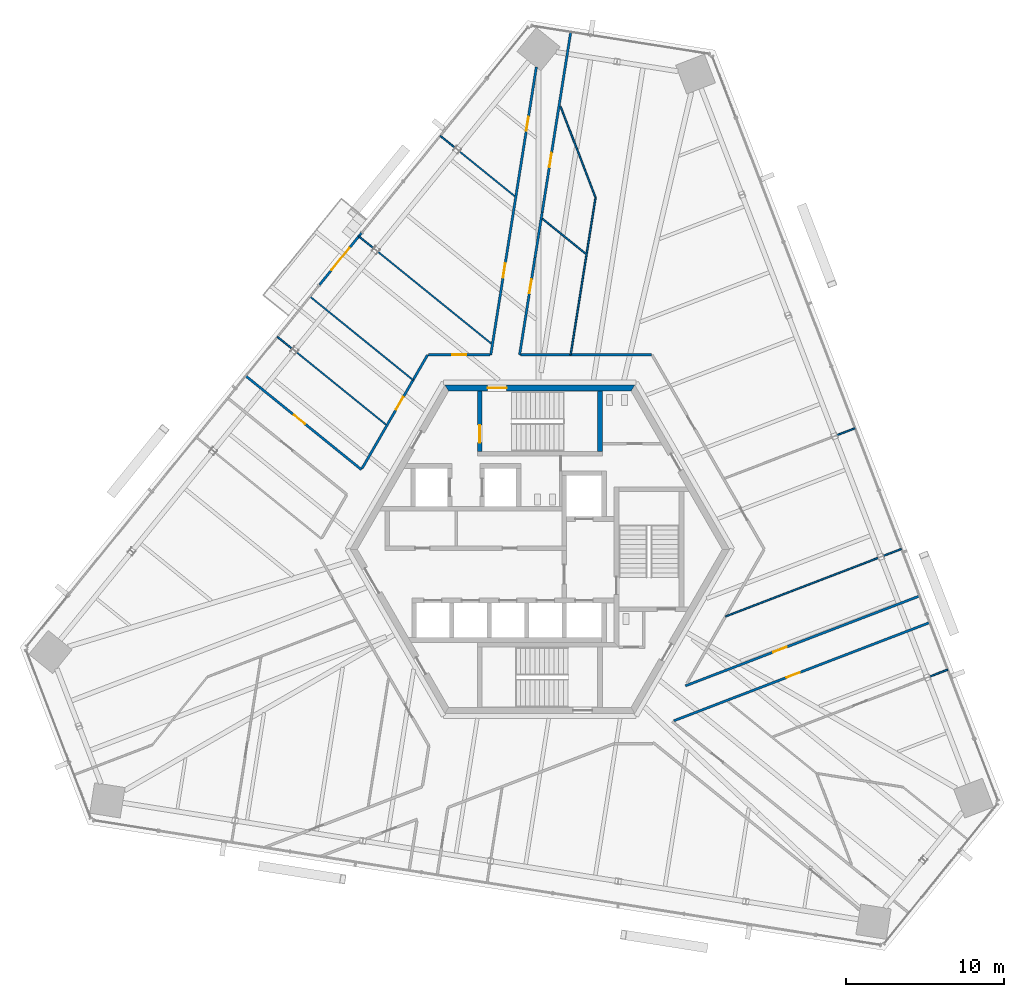
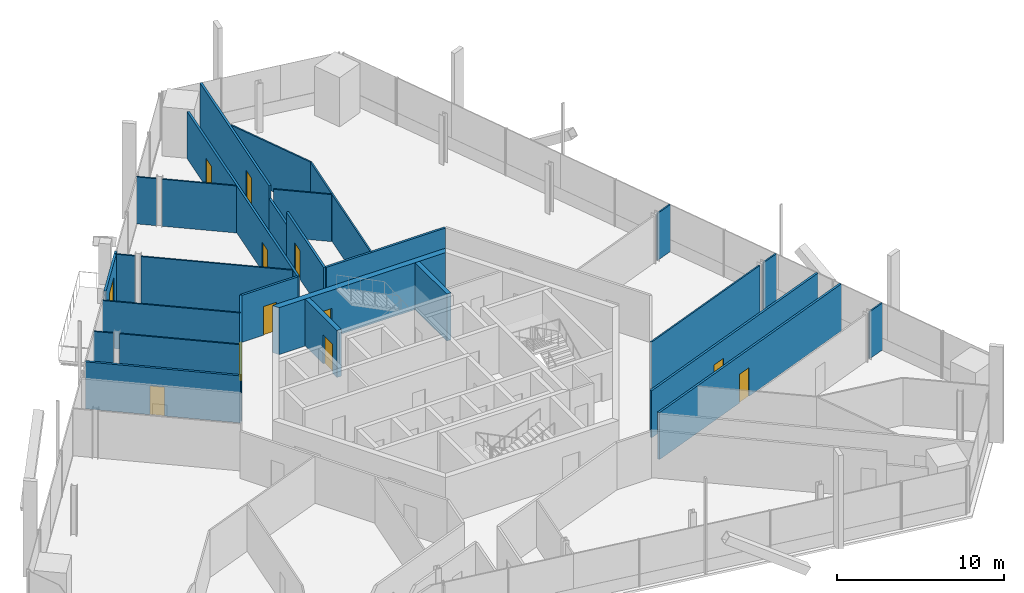
# One storey, part 14 of 21: 28 walls, 12 doors, 12 openings.
"""IFC4 building model written with IfcOpenShell, lengths in metres."""

from ifc_helpers import new_model, si_unit, direction, frame, frame_2d, origin, place, context, subcontext, project, spatial, polyline, rectangle, outline, extrude, source, transform, mapped, material, layer, layer_set, type_object, element, fill, save


model = new_model("IFC4")

# Units and contexts
model_context = context("Model", 3, precision=1e-05, world=origin(), true_north=direction((0.0, 1.0)))
body_context = subcontext(model_context, "Body", "Model", "MODEL_VIEW")
ifc_project = project(units=[si_unit("LENGTHUNIT", "METRE"), si_unit("AREAUNIT", "SQUARE_METRE"), si_unit("VOLUMEUNIT", "CUBIC_METRE"), si_unit("PLANEANGLEUNIT", "RADIAN"), si_unit("MASSUNIT", "GRAM", prefix="KILO")], contexts=[model_context])

# Site, building, storey
site_placement = place(None, origin())
site = spatial("IfcSite", under=ifc_project, at=site_placement, CompositionType="ELEMENT")
building_placement = place(site_placement, origin())
building = spatial("IfcBuilding", under=site, at=building_placement, Name="Triune Harvest Tower", CompositionType="ELEMENT")
storey_placement = place(building_placement, frame((0.0, 0.0, 146.10009765625)))
storey = spatial("IfcBuildingStorey", under=building, at=storey_placement, Name="L37", CompositionType="ELEMENT", Elevation=146.10009765625)

# Walls
ifc_material_1 = material(Name="Gypsum board on steel studs", Category="steel")
ifc_layer_1 = layer(ifc_material_1, 0.14990234375)
ifc_layer_set_1 = layer_set([ifc_layer_1], Name="Gypsum board on steel studs")
wall_type_1 = type_object("IfcWallType", Name="Fire Partition 150 mm", PredefinedType="PARTITIONING", material=ifc_layer_set_1)
wall_1_placement = place(storey_placement, frame((-0.306884765625, 18.43896484375, 0.0), z_axis=(0.0, 0.0, 1.0), x_axis=(0.156384540277, 0.987696246607, 0.0)))
element("IfcWall", 1, at=wall_1_placement, inside=storey, type_object=wall_type_1, Name="Partition L37 047a", PredefinedType="PARTITIONING", context=body_context, shape_type="SweptSolid", body=[
    extrude(rectangle(XDim=2.91162109375, YDim=0.14990234375, at=frame_2d((1.455810546875, 0.0))), origin(), (0.0, 0.0, 1.0), 2.517822265625),
])
ifc_material_2 = material(Name="Gypsum board on steel studs", Category="steel")
ifc_layer_2 = layer(ifc_material_2, 0.10009765625)
ifc_layer_set_2 = layer_set([ifc_layer_2], Name="Gypsum board on steel studs")
wall_type_2 = type_object("IfcWallType", Name="Partition 100 mm", PredefinedType="PARTITIONING", material=ifc_layer_set_2)
wall_2_placement = place(storey_placement, frame((-14.53466796875, 15.977783203125, 0.0), z_axis=(0.0, 0.0, 1.0), x_axis=(0.777140467923, -0.629327174938, 0.0)))
element("IfcWall", 2, at=wall_2_placement, inside=storey, type_object=wall_type_2, Name="Partition L37 015", PredefinedType="PARTITIONING", context=body_context, shape_type="SweptSolid", body=[
    extrude(rectangle(XDim=8.38720703125, YDim=0.10009765625, at=frame_2d((4.193603515625, 0.0))), origin(), (0.0, 0.0, 1.0), 3.43994140625),
])

# Wall, opening, door
ifc_material_3 = material(Name="Concrete 70 MPa", Category="concrete")
ifc_layer_3 = layer(ifc_material_3, 0.39990234375)
ifc_layer_set_3 = layer_set([ifc_layer_3], Name="Concrete 70 MPa")
wall_type_3 = type_object("IfcWallType", Name="Core wall 400", PredefinedType="SHEAR", material=ifc_layer_set_3)
shared_shape_1 = source(origin(), body_context, "Body", "SweptSolid", [
    extrude(outline(polyline([(-0.115478515625, -0.199951171875), (11.884521484375, -0.199951171875), (11.653564453125, 0.199951171875), (0.115478515625, 0.199951171875), (-0.115478515625, -0.199951171875)])), origin(), (0.0, 0.0, 1.0), 3.43994140625),
])
wall_3_placement = place(storey_placement, frame((5.884521484375, 10.1923828125, 0.0), z_axis=(0.0, 0.0, 1.0), x_axis=(-1.0, 0.0, 0.0)))
wall_3 = element("IfcWall", 3, at=wall_3_placement, inside=storey, type_object=wall_type_3, Name="Hexagon 1 wall", PredefinedType="SHEAR", context=body_context, shape_type="MappedRepresentation", body=[
    mapped(shared_shape_1, transform((0.0, 0.0, 0.0), scale=1.0)),
])
opening_1_placement = place(wall_3_placement, frame((7.984619140625, 0.0, 0.0)))
opening_1 = element("IfcOpeningElement", 4, at=opening_1_placement, cuts=wall_3, Name="Opening CD-S1P", PredefinedType="OPENING", context=body_context, shape_type="SweptSolid", body=[
    extrude(rectangle(XDim=1.199951171875, YDim=2.10009765625, at=frame_2d((0.60009765625, 1.050048828125))), frame((0.0, 0.2099609375, 0.0), z_axis=(0.0, -1.0, 0.0), x_axis=(1.0, 0.0, 0.0)), (0.0, 0.0, 1.0), 0.419921875),
])
ifc_material_4 = material(Name="Steel S235", Category="steel")
door_type_1 = type_object("IfcDoorType", Name="Stair door 1200 FD120", OperationType="SINGLE_SWING_LEFT", PredefinedType="DOOR", material=ifc_material_4)
door_1_placement = place(opening_1_placement, frame((1.199951171875, 0.0, 0.0), z_axis=(0.0, 0.0, 1.0), x_axis=(-1.0, 0.0, 0.0)))
door_1 = element("IfcDoor", 5, at=door_1_placement, inside=storey, type_object=door_type_1, Name="Door CD-S1P", OperationType="SINGLE_SWING_RIGHT", OverallHeight=2.10009765625, OverallWidth=1.199951171875, PredefinedType="DOOR", context=body_context, shape_type="SweptSolid", body=[
    extrude(rectangle(XDim=1.199951171875, YDim=2.10009765625, at=frame_2d((0.60009765625, 1.050048828125))), frame((0.0, 0.02490234375, 0.0), z_axis=(0.0, -1.0, 0.0), x_axis=(1.0, 0.0, 0.0)), (0.0, 0.0, 1.0), 0.050048828125),
])
fill(opening_1, door_1)

ifc_material_5 = material(Name="Concrete 70 MPa", Category="concrete")
ifc_layer_4 = layer(ifc_material_5, 0.300048828125)
ifc_layer_set_4 = layer_set([ifc_layer_4], Name="Concrete 70 MPa")
wall_type_4 = type_object("IfcWallType", Name="Core wall 300", PredefinedType="SHEAR", material=ifc_layer_set_4)
shared_shape_2 = source(origin(), body_context, "Body", "SweptSolid", [
    extrude(outline(polyline([(0.0, -0.14990234375), (0.0, 0.14990234375), (3.80419921875, 0.14990234375), (3.80419921875, -0.14990234375), (0.0, -0.14990234375)])), origin(), (0.0, 0.0, 1.0), 3.43994140625),
])
wall_4_placement = place(storey_placement, frame((-3.800048828125, 6.18994140625, 0.0), z_axis=(0.0, 0.0, 1.0), x_axis=(0.0, 1.0, 0.0)))
wall_4 = element("IfcWall", 6, at=wall_4_placement, inside=storey, type_object=wall_type_4, Name="Stair n west wall", PredefinedType="SHEAR", context=body_context, shape_type="MappedRepresentation", body=[
    mapped(shared_shape_2, transform((0.0, 0.0, 0.0), scale=1.0)),
])
opening_2_placement = place(wall_4_placement, frame((0.56005859375, 0.0, 0.0)))
opening_2 = element("IfcOpeningElement", 7, at=opening_2_placement, cuts=wall_4, Name="Opening CD-S1L", PredefinedType="OPENING", context=body_context, shape_type="SweptSolid", body=[
    extrude(rectangle(XDim=1.10009765625, YDim=2.10009765625, at=frame_2d((0.550048828125, 1.050048828125))), frame((0.0, 0.16015625, 0.0), z_axis=(0.0, -1.0, 0.0), x_axis=(1.0, 0.0, 0.0)), (0.0, 0.0, 1.0), 0.320068359375),
])
ifc_material_6 = material(Name="Steel S235", Category="steel")
door_type_2 = type_object("IfcDoorType", Name="Stair door 1100 FD120", OperationType="SINGLE_SWING_LEFT", PredefinedType="DOOR", material=ifc_material_6)
door_2_placement = place(opening_2_placement, frame((1.10009765625, 0.0, 0.0), z_axis=(0.0, 0.0, 1.0), x_axis=(-1.0, 0.0, 0.0)))
door_2 = element("IfcDoor", 8, at=door_2_placement, inside=storey, type_object=door_type_2, Name="Door CD-S1L", OperationType="SINGLE_SWING_RIGHT", OverallHeight=2.10009765625, OverallWidth=1.10009765625, PredefinedType="DOOR", context=body_context, shape_type="SweptSolid", body=[
    extrude(rectangle(XDim=1.10009765625, YDim=2.10009765625, at=frame_2d((0.550048828125, 1.050048828125))), frame((0.0, 0.02490234375, 0.0), z_axis=(0.0, -1.0, 0.0), x_axis=(1.0, 0.0, 0.0)), (0.0, 0.0, 1.0), 0.050048828125),
])
fill(opening_2, door_2)

# Wall
wall_5_placement = place(storey_placement, frame((3.800048828125, 6.18994140625, 0.0), z_axis=(0.0, 0.0, 1.0), x_axis=(0.0, 1.0, 0.0)))
element("IfcWall", 9, at=wall_5_placement, inside=storey, type_object=wall_type_4, Name="Stair n east wall", PredefinedType="SHEAR", context=body_context, shape_type="MappedRepresentation", body=[
    mapped(shared_shape_2, transform((0.0, 0.0, 0.0), scale=1.0)),
])

# Wall, opening, door
ifc_material_7 = material(Name="Aluminium bronze anodised", Category="aluminium")
ifc_layer_5 = layer(ifc_material_7, 0.14990234375)
ifc_layer_set_5 = layer_set([ifc_layer_5], Name="Aluminium bronze anodised")
wall_type_5 = type_object("IfcWallType", Name="WW-2 balcony window wall", PredefinedType="ELEMENTEDWALL", material=ifc_layer_set_5)
shared_shape_3 = source(origin(), body_context, "Body", "SweptSolid", [
    extrude(rectangle(XDim=4.22119140625, YDim=0.14990234375, at=frame_2d((2.110595703125, 0.0))), origin(), (0.0, 0.0, 1.0), 3.43994140625),
])
wall_6_placement = place(storey_placement, frame((-13.93603515625, 16.716796875, 0.0), z_axis=(0.0, 0.0, 1.0), x_axis=(0.629283081156, 0.777176172931, 0.0)))
wall_6 = element("IfcWall", 10, at=wall_6_placement, inside=storey, type_object=wall_type_5, Name="WW-2 B4-F3 L37.5", PredefinedType="ELEMENTEDWALL", context=body_context, shape_type="MappedRepresentation", body=[
    mapped(shared_shape_3, transform((0.0, 0.0, 0.0), scale=1.0)),
])
opening_3_placement = place(wall_6_placement, frame((1.21044921875, 0.0, 0.0)))
opening_3 = element("IfcOpeningElement", 11, at=opening_3_placement, cuts=wall_6, Name="Opening L37-E01", PredefinedType="OPENING", context=body_context, shape_type="SweptSolid", body=[
    extrude(rectangle(XDim=1.800048828125, YDim=2.39990234375, at=frame_2d((0.89990234375, 1.199951171875))), frame((0.0, 0.0849609375, 0.0), z_axis=(0.0, -1.0, 0.0), x_axis=(1.0, 0.0, 0.0)), (0.0, 0.0, 1.0), 0.169921875),
])
ifc_material_8 = material(Name="Glass", Category="glass")
door_type_3 = type_object("IfcDoorType", Name="DB-1 balcony door 1800 x 2400", OperationType="DOUBLE_DOOR_SINGLE_SWING", PredefinedType="DOOR", material=ifc_material_8)
door_3_placement = place(opening_3_placement, origin())
door_3 = element("IfcDoor", 12, at=door_3_placement, inside=storey, type_object=door_type_3, Name="Door L37-E01", OperationType="DOUBLE_DOOR_SINGLE_SWING", OverallHeight=2.39990234375, OverallWidth=1.800048828125, PredefinedType="DOOR", context=body_context, shape_type="SweptSolid", body=[
    extrude(rectangle(XDim=1.800048828125, YDim=2.39990234375, at=frame_2d((0.89990234375, 1.199951171875))), frame((0.0, 0.02490234375, 0.0), z_axis=(0.0, -1.0, 0.0), x_axis=(1.0, 0.0, 0.0)), (0.0, 0.0, 1.0), 0.050048828125),
])
fill(opening_3, door_3)

# Walls
shared_shape_4 = source(origin(), body_context, "Body", "SweptSolid", [
    extrude(rectangle(XDim=6.1650390625, YDim=0.10009765625, at=frame_2d((3.08251953125, 0.0))), origin(), (0.0, 0.0, 1.0), 3.43994140625),
])
wall_7_placement = place(storey_placement, frame((1.3095703125, 28.00439453125, 0.0), z_axis=(0.0, 0.0, 1.0), x_axis=(0.358347425977, -0.933588304498, 0.0)))
element("IfcWall", 13, at=wall_7_placement, inside=storey, type_object=wall_type_2, Name="Partition L37 001", PredefinedType="PARTITIONING", context=body_context, shape_type="MappedRepresentation", body=[
    mapped(shared_shape_4, transform((0.0, 0.0, 0.0), scale=1.0)),
])
shared_shape_5 = source(origin(), body_context, "Body", "SweptSolid", [
    extrude(rectangle(XDim=1.212158203125, YDim=0.10009765625, at=frame_2d((0.60595703125, 0.0))), origin(), (0.0, 0.0, 1.0), 3.43994140625),
])
for number, where, z_axis, x_axis, name in (
    (14, (-11.447998046875, 19.78955078125, 0.0), (0.0, 0.0, 1.0), (0.777240180322, -0.629204022629, 0.0), "Partition L37 016"),
    (15, (-6.303466796875, 26.142578125, 0.0), (0.0, 0.0, 1.0), (0.777240180322, -0.629204022629, 0.0), "Partition L37 018"),
    (16, (24.660400390625, -8.047119140625, 0.0), (0.0, 0.0, 1.0), (0.933594564159, 0.358331117506, 0.0), "Partition L37 026"),
    (17, (21.730712890625, -0.4150390625, 0.0), (0.0, 0.0, 1.0), (0.933594564159, 0.358331117506, 0.0), "Partition L37 034"),
    (18, (18.801025390625, 7.216796875, 0.0), (0.0, 0.0, 1.0), (0.933594564159, 0.358331117506, 0.0), "Partition L37 038"),
):
    element("IfcWall", number, at=place(storey_placement, frame(where, z_axis=z_axis, x_axis=x_axis)), inside=storey, type_object=wall_type_2, Name=name, PredefinedType="PARTITIONING", context=body_context, shape_type="MappedRepresentation", body=[
        mapped(shared_shape_5, transform((0.0, 0.0, 0.0), scale=1.0)),
    ])

# Wall, opening, door
shared_shape_6 = source(origin(), body_context, "Body", "SweptSolid", [
    extrude(rectangle(XDim=9.409912109375, YDim=0.14990234375, at=frame_2d((4.705078125, 0.0))), origin(), (0.0, 0.0, 1.0), 3.43994140625),
])
wall_8_placement = place(storey_placement, frame((-18.5986328125, 10.958984375, 0.0), z_axis=(0.0, 0.0, 1.0), x_axis=(0.777149399254, -0.6293161457, 0.0)))
wall_8 = element("IfcWall", 19, at=wall_8_placement, inside=storey, type_object=wall_type_1, Name="Partition L37 009", PredefinedType="PARTITIONING", context=body_context, shape_type="MappedRepresentation", body=[
    mapped(shared_shape_6, transform((0.0, 0.0, 0.0), scale=1.0)),
])
opening_4_placement = place(wall_8_placement, frame((3.914794921875, 0.0, 0.0)))
opening_4 = element("IfcOpeningElement", 20, at=opening_4_placement, cuts=wall_8, Name="Opening L37-013", PredefinedType="OPENING", context=body_context, shape_type="SweptSolid", body=[
    extrude(rectangle(XDim=0.89990234375, YDim=2.10009765625, at=frame_2d((0.449951171875, 1.050048828125))), frame((0.0, 0.0849609375, 0.0), z_axis=(0.0, -1.0, 0.0), x_axis=(1.0, 0.0, 0.0)), (0.0, 0.0, 1.0), 0.169921875),
])
ifc_material_9 = material(Name="Timber and steel door set", Category="steel")
door_type_4 = type_object("IfcDoorType", Name="Single leaf door FD30 left hand 900 x 2100", OperationType="SINGLE_SWING_LEFT", PredefinedType="DOOR", material=ifc_material_9)
door_4_placement = place(opening_4_placement, origin())
door_4 = element("IfcDoor", 21, at=door_4_placement, inside=storey, type_object=door_type_4, Name="Door L37-013 Office 37.13", OperationType="SINGLE_SWING_LEFT", OverallHeight=2.10009765625, OverallWidth=0.89990234375, PredefinedType="DOOR", context=body_context, shape_type="SweptSolid", body=[
    extrude(rectangle(XDim=0.89990234375, YDim=2.10009765625, at=frame_2d((0.449951171875, 1.050048828125))), frame((0.0, 0.02490234375, 0.0), z_axis=(0.0, -1.0, 0.0), x_axis=(1.0, 0.0, 0.0)), (0.0, 0.0, 1.0), 0.050048828125),
])
fill(opening_4, door_4)

# Walls
shared_shape_7 = source(origin(), body_context, "Body", "SweptSolid", [
    extrude(rectangle(XDim=1.2119140625, YDim=0.10009765625, at=frame_2d((0.60595703125, 0.0))), origin(), (0.0, 0.0, 1.0), 3.43994140625),
])
wall_9_placement = place(storey_placement, frame((-16.592529296875, 13.436279296875, 0.0), z_axis=(0.0, 0.0, 1.0), x_axis=(0.777160423943, -0.629302530948, 0.0)))
element("IfcWall", 22, at=wall_9_placement, inside=storey, type_object=wall_type_2, Name="Partition L37 011", PredefinedType="PARTITIONING", context=body_context, shape_type="MappedRepresentation", body=[
    mapped(shared_shape_7, transform((0.0, 0.0, 0.0), scale=1.0)),
])
shared_shape_8 = source(origin(), body_context, "Body", "SweptSolid", [
    extrude(rectangle(XDim=7.279541015625, YDim=0.10009765625, at=frame_2d((3.6396484375, 0.0))), origin(), (0.0, 0.0, 1.0), 3.43994140625),
])
wall_10_placement = place(storey_placement, frame((-15.3759765625, 12.451171875, 0.0), z_axis=(0.0, 0.0, 1.0), x_axis=(0.777164420304, -0.629297595589, 0.0)))
element("IfcWall", 23, at=wall_10_placement, inside=storey, type_object=wall_type_2, Name="Partition L37 012", PredefinedType="PARTITIONING", context=body_context, shape_type="MappedRepresentation", body=[
    mapped(shared_shape_8, transform((0.0, 0.0, 0.0), scale=1.0)),
])
shared_shape_9 = source(origin(), body_context, "Body", "SweptSolid", [
    extrude(rectangle(XDim=9.21630859375, YDim=0.10009765625, at=frame_2d((4.608154296875, 0.0))), origin(), (0.0, 0.0, 1.0), 3.43994140625),
])
wall_11_placement = place(storey_placement, frame((-10.231201171875, 18.804443359375, 0.0), z_axis=(0.0, 0.0, 1.0), x_axis=(0.777141222029, -0.629326243711, 0.0)))
element("IfcWall", 24, at=wall_11_placement, inside=storey, type_object=wall_type_2, Name="Partition L37 017", PredefinedType="PARTITIONING", context=body_context, shape_type="MappedRepresentation", body=[
    mapped(shared_shape_9, transform((0.0, 0.0, 0.0), scale=1.0)),
])
shared_shape_10 = source(origin(), body_context, "Body", "SweptSolid", [
    extrude(rectangle(XDim=4.496337890625, YDim=0.10009765625, at=frame_2d((2.248046875, 0.0))), origin(), (0.0, 0.0, 1.0), 3.43994140625),
])
wall_12_placement = place(storey_placement, frame((-5.086669921875, 25.157470703125, 0.0), z_axis=(0.0, 0.0, 1.0), x_axis=(0.777157615615, -0.62930599909, 0.0)))
element("IfcWall", 25, at=wall_12_placement, inside=storey, type_object=wall_type_2, Name="Partition L37 019", PredefinedType="PARTITIONING", context=body_context, shape_type="MappedRepresentation", body=[
    mapped(shared_shape_10, transform((0.0, 0.0, 0.0), scale=1.0)),
])
shared_shape_11 = source(origin(), body_context, "Body", "SweptSolid", [
    extrude(rectangle(XDim=3.53076171875, YDim=0.10009765625, at=frame_2d((1.765380859375, 0.0))), origin(), (0.0, 0.0, 1.0), 3.43994140625),
])
wall_13_placement = place(storey_placement, frame((0.1630859375, 20.906494140625, 0.0), z_axis=(0.0, 0.0, 1.0), x_axis=(0.777151465332, -0.629313594269, 0.0)))
element("IfcWall", 26, at=wall_13_placement, inside=storey, type_object=wall_type_2, Name="Partition L37 020", PredefinedType="PARTITIONING", context=body_context, shape_type="MappedRepresentation", body=[
    mapped(shared_shape_11, transform((0.0, 0.0, 0.0), scale=1.0)),
])

# Wall, opening, door
shared_shape_12 = source(origin(), body_context, "Body", "SweptSolid", [
    extrude(rectangle(XDim=3.89453125, YDim=0.14990234375, at=frame_2d((1.947265625, 0.0))), origin(), (0.0, 0.0, 1.0), 3.43994140625),
])
wall_14_placement = place(storey_placement, frame((-7.047119140625, 12.292236328125, 0.0), z_axis=(0.0, 0.0, 1.0), x_axis=(1.0, 0.0, 0.0)))
wall_14 = element("IfcWall", 27, at=wall_14_placement, inside=storey, type_object=wall_type_1, Name="Partition L37 023", PredefinedType="PARTITIONING", context=body_context, shape_type="MappedRepresentation", body=[
    mapped(shared_shape_12, transform((0.0, 0.0, 0.0), scale=1.0)),
])
opening_5_placement = place(wall_14_placement, frame((1.494384765625, 0.0, 0.0)))
opening_5 = element("IfcOpeningElement", 28, at=opening_5_placement, cuts=wall_14, Name="Opening L37-011", PredefinedType="OPENING", context=body_context, shape_type="SweptSolid", body=[
    extrude(rectangle(XDim=0.89990234375, YDim=2.10009765625, at=frame_2d((0.449951171875, 1.050048828125))), frame((0.0, 0.0849609375, 0.0), z_axis=(0.0, -1.0, 0.0), x_axis=(1.0, 0.0, 0.0)), (0.0, 0.0, 1.0), 0.169921875),
])
door_5_placement = place(opening_5_placement, origin())
door_5 = element("IfcDoor", 29, at=door_5_placement, inside=storey, type_object=door_type_4, Name="Door L37-011 Pantry 37.11", OperationType="SINGLE_SWING_LEFT", OverallHeight=2.10009765625, OverallWidth=0.89990234375, PredefinedType="DOOR", context=body_context, shape_type="SweptSolid", body=[
    extrude(rectangle(XDim=0.89990234375, YDim=2.10009765625, at=frame_2d((0.449951171875, 1.050048828125))), frame((0.0, 0.02490234375, 0.0), z_axis=(0.0, -1.0, 0.0), x_axis=(1.0, 0.0, 0.0)), (0.0, 0.0, 1.0), 0.050048828125),
])
fill(opening_5, door_5)

# Wall
shared_shape_13 = source(origin(), body_context, "Body", "SweptSolid", [
    extrude(rectangle(XDim=8.25732421875, YDim=0.14990234375, at=frame_2d((4.128662109375, 0.0))), origin(), (0.0, 0.0, 1.0), 3.43994140625),
])
wall_15_placement = place(storey_placement, frame((-1.210205078125, 12.292236328125, 0.0), z_axis=(0.0, 0.0, 1.0), x_axis=(1.0, 0.0, 0.0)))
element("IfcWall", 30, at=wall_15_placement, inside=storey, type_object=wall_type_1, Name="Partition L37 024", PredefinedType="PARTITIONING", context=body_context, shape_type="MappedRepresentation", body=[
    mapped(shared_shape_13, transform((0.0, 0.0, 0.0), scale=1.0)),
])

# Wall, opening, door
shared_shape_14 = source(origin(), body_context, "Body", "SweptSolid", [
    extrude(rectangle(XDim=17.322021484375, YDim=0.14990234375, at=frame_2d((8.6611328125, 0.0))), origin(), (0.0, 0.0, 1.0), 3.43994140625),
])
wall_16_placement = place(storey_placement, frame((8.478271484375, -10.844482421875, 0.0), z_axis=(0.0, 0.0, 1.0), x_axis=(0.933577530951, 0.35837549261, 0.0)))
wall_16 = element("IfcWall", 31, at=wall_16_placement, inside=storey, type_object=wall_type_1, Name="Partition L37 030", PredefinedType="PARTITIONING", context=body_context, shape_type="MappedRepresentation", body=[
    mapped(shared_shape_14, transform((0.0, 0.0, 0.0), scale=1.0)),
])
opening_6_placement = place(wall_16_placement, frame((7.620361328125, 0.0, 0.0)))
opening_6 = element("IfcOpeningElement", 32, at=opening_6_placement, cuts=wall_16, Name="Opening L37-003", PredefinedType="OPENING", context=body_context, shape_type="SweptSolid", body=[
    extrude(rectangle(XDim=0.89990234375, YDim=2.10009765625, at=frame_2d((0.449951171875, 1.050048828125))), frame((0.0, 0.0849609375, 0.0), z_axis=(0.0, -1.0, 0.0), x_axis=(1.0, 0.0, 0.0)), (0.0, 0.0, 1.0), 0.169921875),
])
ifc_material_10 = material(Name="Timber and steel door set", Category="steel")
door_type_5 = type_object("IfcDoorType", Name="Single leaf door FD30 right hand 900 x 2100", OperationType="SINGLE_SWING_RIGHT", PredefinedType="DOOR", material=ifc_material_10)
door_6_placement = place(opening_6_placement, origin())
door_6 = element("IfcDoor", 33, at=door_6_placement, inside=storey, type_object=door_type_5, Name="Door L37-003 Office 37.03", OperationType="SINGLE_SWING_RIGHT", OverallHeight=2.10009765625, OverallWidth=0.89990234375, PredefinedType="DOOR", context=body_context, shape_type="SweptSolid", body=[
    extrude(rectangle(XDim=0.89990234375, YDim=2.10009765625, at=frame_2d((0.449951171875, 1.050048828125))), frame((0.0, 0.02490234375, 0.0), z_axis=(0.0, -1.0, 0.0), x_axis=(1.0, 0.0, 0.0)), (0.0, 0.0, 1.0), 0.050048828125),
])
fill(opening_6, door_6)

shared_shape_15 = source(origin(), body_context, "Body", "SweptSolid", [
    extrude(rectangle(XDim=15.849365234375, YDim=0.14990234375, at=frame_2d((7.9248046875, 0.0))), origin(), (0.0, 0.0, 1.0), 3.43994140625),
])
wall_17_placement = place(storey_placement, frame((9.207763671875, -8.636474609375, 0.0), z_axis=(0.0, 0.0, 1.0), x_axis=(0.933579640941, 0.358369995982, 0.0)))
wall_17 = element("IfcWall", 34, at=wall_17_placement, inside=storey, type_object=wall_type_1, Name="Partition L37 032", PredefinedType="PARTITIONING", context=body_context, shape_type="MappedRepresentation", body=[
    mapped(shared_shape_15, transform((0.0, 0.0, 0.0), scale=1.0)),
])
opening_7_placement = place(wall_17_placement, frame((5.947509765625, 0.0, 0.0)))
opening_7 = element("IfcOpeningElement", 35, at=opening_7_placement, cuts=wall_17, Name="Opening L37-002", PredefinedType="OPENING", context=body_context, shape_type="SweptSolid", body=[
    extrude(rectangle(XDim=0.89990234375, YDim=2.10009765625, at=frame_2d((0.449951171875, 1.050048828125))), frame((0.0, 0.0849609375, 0.0), z_axis=(0.0, -1.0, 0.0), x_axis=(1.0, 0.0, 0.0)), (0.0, 0.0, 1.0), 0.169921875),
])
door_7_placement = place(opening_7_placement, origin())
door_7 = element("IfcDoor", 36, at=door_7_placement, inside=storey, type_object=door_type_4, Name="Door L37-002 Project Room 37.02", OperationType="SINGLE_SWING_LEFT", OverallHeight=2.10009765625, OverallWidth=0.89990234375, PredefinedType="DOOR", context=body_context, shape_type="SweptSolid", body=[
    extrude(rectangle(XDim=0.89990234375, YDim=2.10009765625, at=frame_2d((0.449951171875, 1.050048828125))), frame((0.0, 0.02490234375, 0.0), z_axis=(0.0, -1.0, 0.0), x_axis=(1.0, 0.0, 0.0)), (0.0, 0.0, 1.0), 0.050048828125),
])
fill(opening_7, door_7)

# Wall
shared_shape_16 = source(origin(), body_context, "Body", "SweptSolid", [
    extrude(rectangle(XDim=10.34765625, YDim=0.10009765625, at=frame_2d((5.173828125, 0.0))), origin(), (0.0, 0.0, 1.0), 3.43994140625),
])
wall_18_placement = place(storey_placement, frame((11.740234375, -4.25, 0.0), z_axis=(0.0, 0.0, 1.0), x_axis=(0.933573448409, 0.358386127558, 0.0)))
element("IfcWall", 37, at=wall_18_placement, inside=storey, type_object=wall_type_2, Name="Partition L37 033", PredefinedType="PARTITIONING", context=body_context, shape_type="MappedRepresentation", body=[
    mapped(shared_shape_16, transform((0.0, 0.0, 0.0), scale=1.0)),
])

# Wall, opening, door
shared_shape_17 = source(origin(), body_context, "Body", "SweptSolid", [
    extrude(rectangle(XDim=8.3076171875, YDim=0.14990234375, at=frame_2d((4.15380859375, 0.0))), origin(), (0.0, 0.0, 1.0), 3.43994140625),
])
wall_19_placement = place(storey_placement, frame((-11.25048828125, 5.097900390625, 0.0), z_axis=(0.0, 0.0, 1.0), x_axis=(0.500001430823, 0.866024577697, 0.0)))
wall_19 = element("IfcWall", 38, at=wall_19_placement, inside=storey, type_object=wall_type_1, Name="Partition L37 042", PredefinedType="PARTITIONING", context=body_context, shape_type="MappedRepresentation", body=[
    mapped(shared_shape_17, transform((0.0, 0.0, 0.0), scale=1.0)),
])
opening_8_placement = place(wall_19_placement, frame((4.31787109375, 0.0, 0.0)))
opening_8 = element("IfcOpeningElement", 39, at=opening_8_placement, cuts=wall_19, Name="Opening L37-010", PredefinedType="OPENING", context=body_context, shape_type="SweptSolid", body=[
    extrude(rectangle(XDim=0.89990234375, YDim=2.10009765625, at=frame_2d((0.449951171875, 1.050048828125))), frame((0.0, 0.0849609375, 0.0), z_axis=(0.0, -1.0, 0.0), x_axis=(1.0, 0.0, 0.0)), (0.0, 0.0, 1.0), 0.169921875),
])
door_8_placement = place(opening_8_placement, origin())
door_8 = element("IfcDoor", 40, at=door_8_placement, inside=storey, type_object=door_type_5, Name="Door L37-010 Project Room 37.10", OperationType="SINGLE_SWING_RIGHT", OverallHeight=2.10009765625, OverallWidth=0.89990234375, PredefinedType="DOOR", context=body_context, shape_type="SweptSolid", body=[
    extrude(rectangle(XDim=0.89990234375, YDim=2.10009765625, at=frame_2d((0.449951171875, 1.050048828125))), frame((0.0, 0.02490234375, 0.0), z_axis=(0.0, -1.0, 0.0), x_axis=(1.0, 0.0, 0.0)), (0.0, 0.0, 1.0), 0.050048828125),
])
fill(opening_8, door_8)

# Wall
shared_shape_18 = source(origin(), body_context, "Body", "SweptSolid", [
    extrude(rectangle(XDim=10.0712890625, YDim=0.10009765625, at=frame_2d((5.03564453125, 0.0))), origin(), (0.0, 0.0, 1.0), 3.43994140625),
])
wall_20_placement = place(storey_placement, frame((1.947021484375, 12.292236328125, 0.0), z_axis=(0.0, 0.0, 1.0), x_axis=(0.15642936564, 0.987689148247, 0.0)))
element("IfcWall", 41, at=wall_20_placement, inside=storey, type_object=wall_type_2, Name="Partition L37 045", PredefinedType="PARTITIONING", context=body_context, shape_type="MappedRepresentation", body=[
    mapped(shared_shape_18, transform((0.0, 0.0, 0.0), scale=1.0)),
])

# Wall, opening, door
shared_shape_19 = source(origin(), body_context, "Body", "SweptSolid", [
    extrude(rectangle(XDim=6.223388671875, YDim=0.14990234375, at=frame_2d((3.11181640625, 0.0))), origin(), (0.0, 0.0, 1.0), 3.43994140625),
])
wall_21_placement = place(storey_placement, frame((-1.280517578125, 12.292236328125, 0.0), z_axis=(0.0, 0.0, 1.0), x_axis=(0.156448048694, 0.98768618906, 0.0)))
wall_21 = element("IfcWall", 42, at=wall_21_placement, inside=storey, type_object=wall_type_1, Name="Partition L37 047", PredefinedType="PARTITIONING", context=body_context, shape_type="MappedRepresentation", body=[
    mapped(shared_shape_19, transform((0.0, 0.0, 0.0), scale=1.0)),
])
opening_9_placement = place(wall_21_placement, frame((3.949951171875, 0.0, 0.0)))
opening_9 = element("IfcOpeningElement", 43, at=opening_9_placement, cuts=wall_21, Name="Opening L37-009", PredefinedType="OPENING", context=body_context, shape_type="SweptSolid", body=[
    extrude(rectangle(XDim=0.89990234375, YDim=2.10009765625, at=frame_2d((0.449951171875, 1.050048828125))), frame((0.0, 0.0849609375, 0.0), z_axis=(0.0, -1.0, 0.0), x_axis=(1.0, 0.0, 0.0)), (0.0, 0.0, 1.0), 0.169921875),
])
door_9_placement = place(opening_9_placement, origin())
door_9 = element("IfcDoor", 44, at=door_9_placement, inside=storey, type_object=door_type_5, Name="Door L37-009 Office 37.09", OperationType="SINGLE_SWING_RIGHT", OverallHeight=2.10009765625, OverallWidth=0.89990234375, PredefinedType="DOOR", context=body_context, shape_type="SweptSolid", body=[
    extrude(rectangle(XDim=0.89990234375, YDim=2.10009765625, at=frame_2d((0.449951171875, 1.050048828125))), frame((0.0, 0.02490234375, 0.0), z_axis=(0.0, -1.0, 0.0), x_axis=(1.0, 0.0, 0.0)), (0.0, 0.0, 1.0), 0.050048828125),
])
fill(opening_9, door_9)

shared_shape_20 = source(origin(), body_context, "Body", "SweptSolid", [
    extrude(rectangle(XDim=11.533447265625, YDim=0.14990234375, at=frame_2d((5.7666015625, 0.0))), origin(), (0.0, 0.0, 1.0), 3.43994140625),
])
wall_22_placement = place(storey_placement, frame((0.1484375, 21.314697265625, 0.0), z_axis=(0.0, 0.0, 1.0), x_axis=(0.156453884379, 0.987685264678, 0.0)))
wall_22 = element("IfcWall", 45, at=wall_22_placement, inside=storey, type_object=wall_type_1, Name="Partition L37 047b", PredefinedType="PARTITIONING", context=body_context, shape_type="MappedRepresentation", body=[
    mapped(shared_shape_20, transform((0.0, 0.0, 0.0), scale=1.0)),
])
opening_10_placement = place(wall_22_placement, frame((2.89404296875, 0.0, 0.0)))
opening_10 = element("IfcOpeningElement", 46, at=opening_10_placement, cuts=wall_22, Name="Opening L37-007", PredefinedType="OPENING", context=body_context, shape_type="SweptSolid", body=[
    extrude(rectangle(XDim=0.89990234375, YDim=2.10009765625, at=frame_2d((0.449951171875, 1.050048828125))), frame((0.0, 0.0849609375, 0.0), z_axis=(0.0, -1.0, 0.0), x_axis=(1.0, 0.0, 0.0)), (0.0, 0.0, 1.0), 0.169921875),
])
door_10_placement = place(opening_10_placement, origin())
door_10 = element("IfcDoor", 47, at=door_10_placement, inside=storey, type_object=door_type_4, Name="Door L37-007 Open Office 37.07", OperationType="SINGLE_SWING_LEFT", OverallHeight=2.10009765625, OverallWidth=0.89990234375, PredefinedType="DOOR", context=body_context, shape_type="SweptSolid", body=[
    extrude(rectangle(XDim=0.89990234375, YDim=2.10009765625, at=frame_2d((0.449951171875, 1.050048828125))), frame((0.0, 0.02490234375, 0.0), z_axis=(0.0, -1.0, 0.0), x_axis=(1.0, 0.0, 0.0)), (0.0, 0.0, 1.0), 0.050048828125),
])
fill(opening_10, door_10)

# Wall, openings, doors
shared_shape_21 = source(origin(), body_context, "Body", "SweptSolid", [
    extrude(rectangle(XDim=18.4287109375, YDim=0.14990234375, at=frame_2d((9.21435546875, 0.0))), origin(), (0.0, 0.0, 1.0), 3.43994140625),
])
wall_23_placement = place(storey_placement, frame((-3.102783203125, 12.29248046875, 0.0), z_axis=(0.0, 0.0, 1.0), x_axis=(0.156416992947, 0.987691107744, 0.0)))
wall_23 = element("IfcWall", 48, at=wall_23_placement, inside=storey, type_object=wall_type_1, Name="Partition L37 050", PredefinedType="PARTITIONING", context=body_context, shape_type="MappedRepresentation", body=[
    mapped(shared_shape_21, transform((0.0, 0.0, 0.0), scale=1.0)),
])
opening_11_placement = place(wall_23_placement, frame((14.349609375, 0.0, 0.0)))
opening_11 = element("IfcOpeningElement", 49, at=opening_11_placement, cuts=wall_23, Name="Opening L37-006", PredefinedType="OPENING", context=body_context, shape_type="SweptSolid", body=[
    extrude(rectangle(XDim=0.89990234375, YDim=2.10009765625, at=frame_2d((0.449951171875, 1.050048828125))), frame((0.0, 0.0849609375, 0.0), z_axis=(0.0, -1.0, 0.0), x_axis=(1.0, 0.0, 0.0)), (0.0, 0.0, 1.0), 0.169921875),
])
opening_12_placement = place(wall_23_placement, frame((4.952880859375, 0.0, 0.0)))
opening_12 = element("IfcOpeningElement", 50, at=opening_12_placement, cuts=wall_23, Name="Opening L37-008", PredefinedType="OPENING", context=body_context, shape_type="SweptSolid", body=[
    extrude(rectangle(XDim=0.89990234375, YDim=2.10009765625, at=frame_2d((0.449951171875, 1.050048828125))), frame((0.0, 0.0849609375, 0.0), z_axis=(0.0, -1.0, 0.0), x_axis=(1.0, 0.0, 0.0)), (0.0, 0.0, 1.0), 0.169921875),
])
door_11_placement = place(opening_12_placement, origin())
door_11 = element("IfcDoor", 51, at=door_11_placement, inside=storey, type_object=door_type_4, Name="Door L37-008 Office 37.08", OperationType="SINGLE_SWING_LEFT", OverallHeight=2.10009765625, OverallWidth=0.89990234375, PredefinedType="DOOR", context=body_context, shape_type="SweptSolid", body=[
    extrude(rectangle(XDim=0.89990234375, YDim=2.10009765625, at=frame_2d((0.449951171875, 1.050048828125))), frame((0.0, 0.02490234375, 0.0), z_axis=(0.0, -1.0, 0.0), x_axis=(1.0, 0.0, 0.0)), (0.0, 0.0, 1.0), 0.050048828125),
])
fill(opening_12, door_11)
door_12_placement = place(opening_11_placement, origin())
door_12 = element("IfcDoor", 52, at=door_12_placement, inside=storey, type_object=door_type_5, Name="Door L37-006 Open Office 37.06", OperationType="SINGLE_SWING_RIGHT", OverallHeight=2.10009765625, OverallWidth=0.89990234375, PredefinedType="DOOR", context=body_context, shape_type="SweptSolid", body=[
    extrude(rectangle(XDim=0.89990234375, YDim=2.10009765625, at=frame_2d((0.449951171875, 1.050048828125))), frame((0.0, 0.02490234375, 0.0), z_axis=(0.0, -1.0, 0.0), x_axis=(1.0, 0.0, 0.0)), (0.0, 0.0, 1.0), 0.050048828125),
])
fill(opening_11, door_12)

save(model, "model.ifc")
